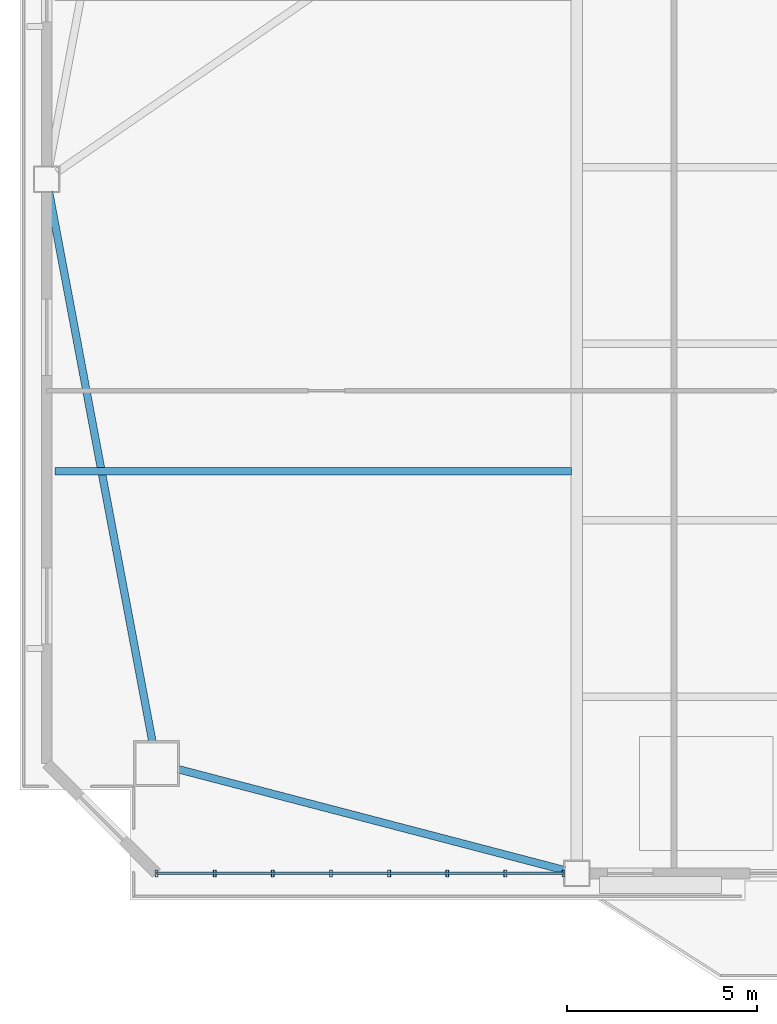
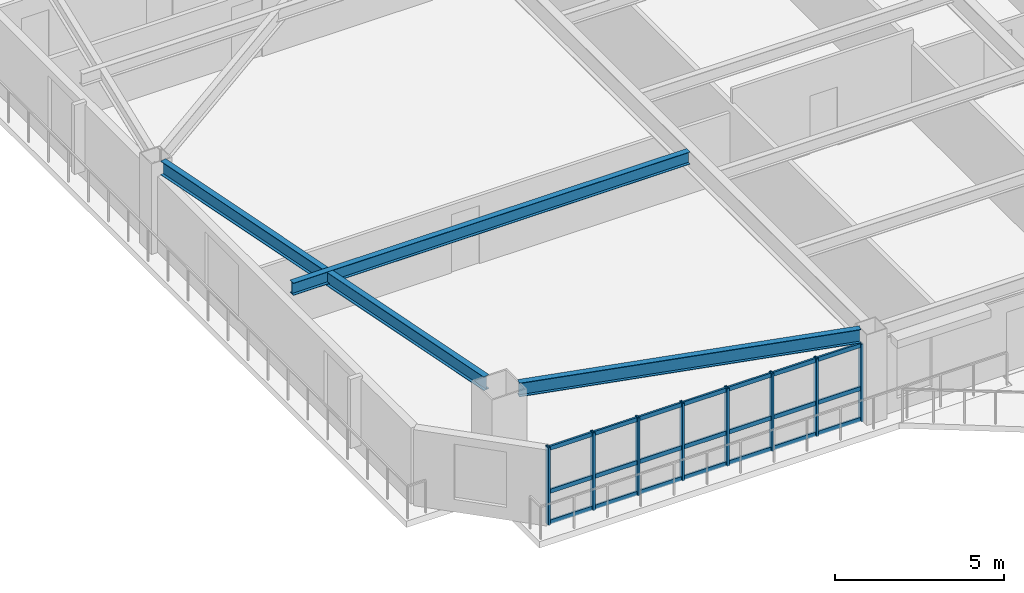
# One storey, part 2 of 15: 11 members, 3 beams, 1 element without a shape of its own.
"""IFC4 building model written with IfcOpenShell, lengths in metres."""

from ifc_helpers import new_model, si_unit, direction, frame, origin, origin_2d, place, context, subcontext, project, spatial, hollow_rectangle, i_section, extrude, source, transform, mapped, material, layer, layer_set, material_profile, profile_set, type_object, element, aggregate, save


model = new_model("IFC4")

# Units and contexts
model_context = context("Model", 3, precision=1e-05, world=origin(), true_north=direction((0.0, 1.0)))
body_context = subcontext(model_context, "Body", "Model", "MODEL_VIEW")
ifc_project = project(units=[si_unit("LENGTHUNIT", "METRE"), si_unit("AREAUNIT", "SQUARE_METRE"), si_unit("VOLUMEUNIT", "CUBIC_METRE"), si_unit("PLANEANGLEUNIT", "RADIAN"), si_unit("MASSUNIT", "GRAM", prefix="KILO")], contexts=[model_context])

# Site, building, storey
site_placement = place(None, origin())
site = spatial("IfcSite", under=ifc_project, at=site_placement, CompositionType="ELEMENT")
building_placement = place(site_placement, origin())
building = spatial("IfcBuilding", under=site, at=building_placement, Name="Giltprow Tower", CompositionType="ELEMENT")
storey_placement = place(building_placement, frame((0.0, 0.0, 170.199951171875)))
storey = spatial("IfcBuildingStorey", under=building, at=storey_placement, Name="L42", CompositionType="ELEMENT", Elevation=170.199951171875)

# Beams
ifc_material_1 = material(Name="Structural steel Q355B", Category="steel")
ifc_material_profile_1 = material_profile(ifc_material_1, i_section(OverallWidth=0.199951171875, OverallDepth=0.449951171875, WebThickness=0.009033203125, FlangeThickness=0.013916015625, at=origin_2d()), Name="HN 450x200x9x14")
ifc_profile_set_1 = profile_set([ifc_material_profile_1], Name="Structural steel Q355B")
beam_type_1 = type_object("IfcBeamType", Name="BM-JOIST-HN450", PredefinedType="JOIST", material=ifc_profile_set_1)
shared_shape_1 = source(origin(), body_context, "Body", "SweptSolid", [
    extrude(i_section(OverallWidth=0.199951171875, OverallDepth=0.449951171875, WebThickness=0.009033203125, FlangeThickness=0.013916015625, at=origin_2d()), origin(), (0.0, 0.0, 1.0), 13.566162109375),
])
beam_1_placement = place(storey_placement, frame((6.138916015625, 20.18798828125, 3.045166015625), z_axis=(1.0, 0.0, 0.0), x_axis=(0.0, 1.0, 0.0)))
element("IfcBeam", 1, at=beam_1_placement, inside=storey, type_object=beam_type_1, Name="L42 West Wing Floor Joist 1", PredefinedType="JOIST", context=body_context, shape_type="MappedRepresentation", body=[
    mapped(shared_shape_1, transform((0.0, 0.0, 0.0), x_axis=(1.0, 0.0, 0.0), y_axis=(0.0, 1.0, 0.0), z_axis=(0.0, 0.0, 1.0), scale=1.0)),
])
ifc_material_profile_2 = material_profile(ifc_material_1, i_section(OverallWidth=0.199951171875, OverallDepth=0.5, WebThickness=0.010009765625, FlangeThickness=0.01611328125, at=origin_2d()), Name="HN 500x200x10x16")
ifc_profile_set_2 = profile_set([ifc_material_profile_2], Name="Structural steel Q355B")
beam_type_2 = type_object("IfcBeamType", Name="BM-SPAN-HN500", PredefinedType="SPANDREL", material=ifc_profile_set_2)
shared_shape_2 = source(origin(), body_context, "Body", "SweptSolid", [
    extrude(i_section(OverallWidth=0.199951171875, OverallDepth=0.5, WebThickness=0.010009765625, FlangeThickness=0.01611328125, at=origin_2d()), origin(), (0.0, 0.0, 1.0), 10.494873046875),
])
beam_2_placement = place(storey_placement, frame((9.3720703125, 12.364990234375, 3.02001953125), z_axis=(0.967495370313, -0.252888727354, 0.0), x_axis=(0.252888727354, 0.967495370313, 0.0)))
element("IfcBeam", 2, at=beam_2_placement, inside=storey, type_object=beam_type_2, Name="L42 Perimeter Spandrel Beam MC_SW-S1", PredefinedType="SPANDREL", context=body_context, shape_type="MappedRepresentation", body=[
    mapped(shared_shape_2, transform((0.0, 0.0, 0.0), x_axis=(1.0, 0.0, 0.0), y_axis=(0.0, 1.0, 0.0), z_axis=(0.0, 0.0, 1.0), scale=1.0)),
])
shared_shape_3 = source(origin(), body_context, "Body", "SweptSolid", [
    extrude(i_section(OverallWidth=0.199951171875, OverallDepth=0.5, WebThickness=0.010009765625, FlangeThickness=0.01611328125, at=origin_2d()), origin(), (0.0, 0.0, 1.0), 14.69921875),
])
beam_3_placement = place(storey_placement, frame((5.98095703125, 27.533935546875, 3.02001953125), z_axis=(0.184841051364, -0.982768429352, 0.0), x_axis=(0.982768429352, 0.184841051364, 0.0)))
element("IfcBeam", 3, at=beam_3_placement, inside=storey, type_object=beam_type_2, Name="L42 Perimeter Spandrel Beam W_MID-MC_SW", PredefinedType="SPANDREL", context=body_context, shape_type="MappedRepresentation", body=[
    mapped(shared_shape_3, transform((0.0, 0.0, 0.0), x_axis=(1.0, 0.0, 0.0), y_axis=(0.0, 1.0, 0.0), z_axis=(0.0, 0.0, 1.0), scale=1.0)),
])

# Curtain wall, members
ifc_material_2 = material(Name="Anodized bronze", Category="metal")
ifc_layer = layer(ifc_material_2, 0.179931640625, Name="Anodized bronze")
ifc_layer_set = layer_set([ifc_layer], Name="Anodized bronze")
curtain_wall_type = type_object("IfcCurtainWallType", Name="CW-HTL-BRONZE", PredefinedType="NOTDEFINED", material=ifc_layer_set)
curtain_wall_placement = place(storey_placement, origin())
curtain_wall = element("IfcCurtainWall", 4, at=curtain_wall_placement, inside=storey, type_object=curtain_wall_type, Name="L42 South Recessed Curtain Wall 1", PredefinedType="NOTDEFINED")
ifc_material_profile_3 = material_profile(ifc_material_2, hollow_rectangle(XDim=0.074951171875, YDim=0.179931640625, WallThickness=0.008056640625, at=origin_2d()), Name="RHS 180x75x8")
ifc_profile_set_3 = profile_set([ifc_material_profile_3], Name="Anodized bronze")
member_type_1 = type_object("IfcMemberType", Name="CW-MULLION-180x75", PredefinedType="MULLION", material=ifc_profile_set_3)
shared_shape_4 = source(origin(), body_context, "Body", "SweptSolid", [
    extrude(hollow_rectangle(XDim=0.074951171875, YDim=0.179931640625, WallThickness=0.008056640625, at=origin_2d()), origin(), (0.0, 0.0, 1.0), 2.80517578125),
])
member_1_placement = place(storey_placement, frame((8.805908203125, 9.6259765625, -0.02001953125), z_axis=(0.0, 0.0, 1.0), x_axis=(1.0, 0.0, 0.0)))
member_1 = element("IfcMember", 5, at=member_1_placement, type_object=member_type_1, Name="L42 South Recessed Curtain Wall 1 Mullion 1", PredefinedType="MULLION", context=body_context, shape_type="MappedRepresentation", body=[
    mapped(shared_shape_4, transform((0.0, 0.0, 0.0), x_axis=(1.0, 0.0, 0.0), y_axis=(0.0, 1.0, 0.0), z_axis=(0.0, 0.0, 1.0), scale=1.0)),
])
member_2_placement = place(storey_placement, frame((10.333984375, 9.6259765625, -0.02001953125), z_axis=(0.0, 0.0, 1.0), x_axis=(1.0, 0.0, 0.0)))
member_2 = element("IfcMember", 6, at=member_2_placement, type_object=member_type_1, Name="L42 South Recessed Curtain Wall 1 Mullion 2", PredefinedType="MULLION", context=body_context, shape_type="MappedRepresentation", body=[
    mapped(shared_shape_4, transform((0.0, 0.0, 0.0), x_axis=(1.0, 0.0, 0.0), y_axis=(0.0, 1.0, 0.0), z_axis=(0.0, 0.0, 1.0), scale=1.0)),
])
member_3_placement = place(storey_placement, frame((11.861083984375, 9.6259765625, -0.02001953125), z_axis=(0.0, 0.0, 1.0), x_axis=(1.0, 0.0, 0.0)))
member_3 = element("IfcMember", 7, at=member_3_placement, type_object=member_type_1, Name="L42 South Recessed Curtain Wall 1 Mullion 3", PredefinedType="MULLION", context=body_context, shape_type="MappedRepresentation", body=[
    mapped(shared_shape_4, transform((0.0, 0.0, 0.0), x_axis=(1.0, 0.0, 0.0), y_axis=(0.0, 1.0, 0.0), z_axis=(0.0, 0.0, 1.0), scale=1.0)),
])
member_4_placement = place(storey_placement, frame((13.388916015625, 9.6259765625, -0.02001953125), z_axis=(0.0, 0.0, 1.0), x_axis=(1.0, 0.0, 0.0)))
member_4 = element("IfcMember", 8, at=member_4_placement, type_object=member_type_1, Name="L42 South Recessed Curtain Wall 1 Mullion 4", PredefinedType="MULLION", context=body_context, shape_type="MappedRepresentation", body=[
    mapped(shared_shape_4, transform((0.0, 0.0, 0.0), x_axis=(1.0, 0.0, 0.0), y_axis=(0.0, 1.0, 0.0), z_axis=(0.0, 0.0, 1.0), scale=1.0)),
])
member_5_placement = place(storey_placement, frame((14.9169921875, 9.6259765625, -0.02001953125), z_axis=(0.0, 0.0, 1.0), x_axis=(1.0, 0.0, 0.0)))
member_5 = element("IfcMember", 9, at=member_5_placement, type_object=member_type_1, Name="L42 South Recessed Curtain Wall 1 Mullion 5", PredefinedType="MULLION", context=body_context, shape_type="MappedRepresentation", body=[
    mapped(shared_shape_4, transform((0.0, 0.0, 0.0), x_axis=(1.0, 0.0, 0.0), y_axis=(0.0, 1.0, 0.0), z_axis=(0.0, 0.0, 1.0), scale=1.0)),
])
member_6_placement = place(storey_placement, frame((16.445068359375, 9.6259765625, -0.02001953125), z_axis=(0.0, 0.0, 1.0), x_axis=(1.0, 0.0, 0.0)))
member_6 = element("IfcMember", 10, at=member_6_placement, type_object=member_type_1, Name="L42 South Recessed Curtain Wall 1 Mullion 6", PredefinedType="MULLION", context=body_context, shape_type="MappedRepresentation", body=[
    mapped(shared_shape_4, transform((0.0, 0.0, 0.0), x_axis=(1.0, 0.0, 0.0), y_axis=(0.0, 1.0, 0.0), z_axis=(0.0, 0.0, 1.0), scale=1.0)),
])
member_7_placement = place(storey_placement, frame((17.971923828125, 9.6259765625, -0.02001953125), z_axis=(0.0, 0.0, 1.0), x_axis=(1.0, 0.0, 0.0)))
member_7 = element("IfcMember", 11, at=member_7_placement, type_object=member_type_1, Name="L42 South Recessed Curtain Wall 1 Mullion 7", PredefinedType="MULLION", context=body_context, shape_type="MappedRepresentation", body=[
    mapped(shared_shape_4, transform((0.0, 0.0, 0.0), x_axis=(1.0, 0.0, 0.0), y_axis=(0.0, 1.0, 0.0), z_axis=(0.0, 0.0, 1.0), scale=1.0)),
])
member_8_placement = place(storey_placement, frame((19.5, 9.6259765625, -0.02001953125), z_axis=(0.0, 0.0, 1.0), x_axis=(1.0, 0.0, 0.0)))
member_8 = element("IfcMember", 12, at=member_8_placement, type_object=member_type_1, Name="L42 South Recessed Curtain Wall 1 Mullion 8", PredefinedType="MULLION", context=body_context, shape_type="MappedRepresentation", body=[
    mapped(shared_shape_4, transform((0.0, 0.0, 0.0), x_axis=(1.0, 0.0, 0.0), y_axis=(0.0, 1.0, 0.0), z_axis=(0.0, 0.0, 1.0), scale=1.0)),
])
ifc_material_profile_4 = material_profile(ifc_material_2, hollow_rectangle(XDim=0.06494140625, YDim=0.14990234375, WallThickness=0.006103515625, at=origin_2d()), Name="RHS 150x65x6")
ifc_profile_set_4 = profile_set([ifc_material_profile_4], Name="Anodized bronze")
member_type_2 = type_object("IfcMemberType", Name="CW-TRANSOM-150x65", PredefinedType="USERDEFINED", material=ifc_profile_set_4)
shared_shape_5 = source(origin(), body_context, "Body", "SweptSolid", [
    extrude(hollow_rectangle(XDim=0.06494140625, YDim=0.14990234375, WallThickness=0.006103515625, at=origin_2d()), origin(), (0.0, 0.0, 1.0), 10.694091796875),
])
member_9_placement = place(storey_placement, frame((8.805908203125, 9.6259765625, 0.0400390625), z_axis=(1.0, 0.0, 0.0), x_axis=(0.0, 1.0, 0.0)))
member_9 = element("IfcMember", 13, at=member_9_placement, type_object=member_type_2, Name="L42 South Recessed Curtain Wall 1 Transom 1", ObjectType="TRANSOM", PredefinedType="USERDEFINED", context=body_context, shape_type="MappedRepresentation", body=[
    mapped(shared_shape_5, transform((0.0, 0.0, 0.0), x_axis=(1.0, 0.0, 0.0), y_axis=(0.0, 1.0, 0.0), z_axis=(0.0, 0.0, 1.0), scale=1.0)),
])
member_10_placement = place(storey_placement, frame((8.805908203125, 9.6259765625, 1.155029296875), z_axis=(1.0, 0.0, 0.0), x_axis=(0.0, 1.0, 0.0)))
member_10 = element("IfcMember", 14, at=member_10_placement, type_object=member_type_2, Name="L42 South Recessed Curtain Wall 1 Transom 2", ObjectType="TRANSOM", PredefinedType="USERDEFINED", context=body_context, shape_type="MappedRepresentation", body=[
    mapped(shared_shape_5, transform((0.0, 0.0, 0.0), x_axis=(1.0, 0.0, 0.0), y_axis=(0.0, 1.0, 0.0), z_axis=(0.0, 0.0, 1.0), scale=1.0)),
])
member_11_placement = place(storey_placement, frame((8.805908203125, 9.6259765625, 2.7099609375), z_axis=(1.0, 0.0, 0.0), x_axis=(0.0, 1.0, 0.0)))
member_11 = element("IfcMember", 15, at=member_11_placement, type_object=member_type_2, Name="L42 South Recessed Curtain Wall 1 Transom 3", ObjectType="TRANSOM", PredefinedType="USERDEFINED", context=body_context, shape_type="MappedRepresentation", body=[
    mapped(shared_shape_5, transform((0.0, 0.0, 0.0), x_axis=(1.0, 0.0, 0.0), y_axis=(0.0, 1.0, 0.0), z_axis=(0.0, 0.0, 1.0), scale=1.0)),
])
aggregate(curtain_wall, [member_1, member_2, member_3, member_4, member_5, member_6, member_7, member_8, member_9, member_10, member_11])

save(model, "model.ifc")
